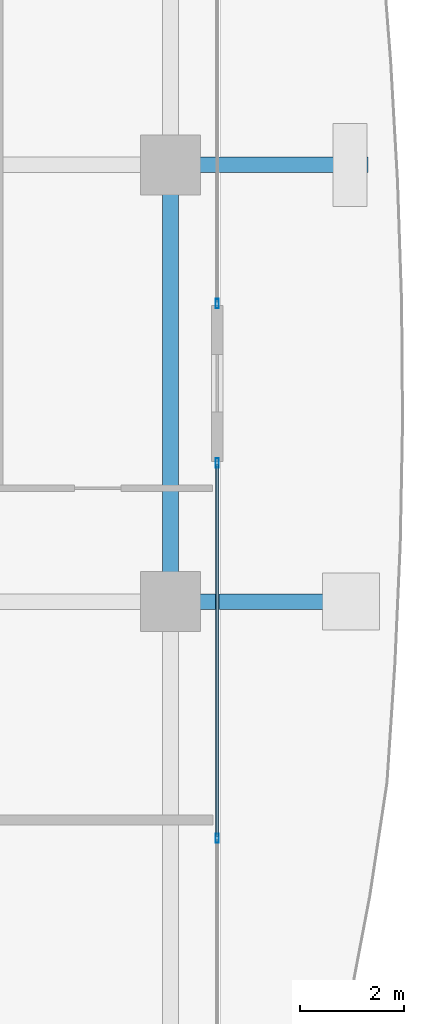
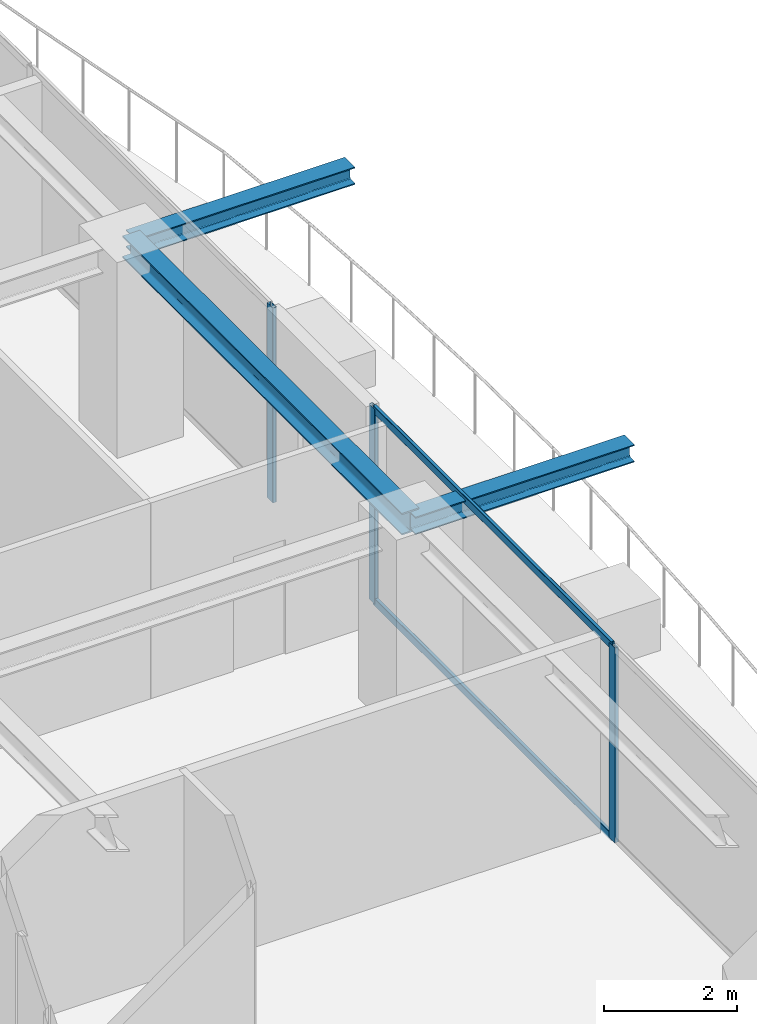
# One storey, part 15 of 37: 5 members, 3 beams, 2 elements without a shape of their own.
"""IFC4 building model written with IfcOpenShell, lengths in metres."""

from ifc_helpers import new_model, si_unit, direction, frame, origin, origin_2d, place, context, subcontext, project, spatial, hollow_rectangle, i_section, extrude, source, transform, mapped, material, layer, layer_set, material_profile, profile_set, type_object, element, aggregate, save


model = new_model("IFC4")

# Units and contexts
model_context = context("Model", 3, precision=1e-05, world=origin(), true_north=direction((0.0, 1.0)))
body_context = subcontext(model_context, "Body", "Model", "MODEL_VIEW")
ifc_project = project(units=[si_unit("LENGTHUNIT", "METRE"), si_unit("AREAUNIT", "SQUARE_METRE"), si_unit("VOLUMEUNIT", "CUBIC_METRE"), si_unit("PLANEANGLEUNIT", "RADIAN"), si_unit("MASSUNIT", "GRAM", prefix="KILO")], contexts=[model_context])

# Site, building, storey
site_placement = place(None, origin())
site = spatial("IfcSite", under=ifc_project, at=site_placement, CompositionType="ELEMENT")
building_placement = place(site_placement, origin())
building = spatial("IfcBuilding", under=site, at=building_placement, Name="Serunith Strait Residences", CompositionType="ELEMENT")
storey_placement = place(building_placement, frame((0.0, 0.0, 275.89990234375)))
storey = spatial("IfcBuildingStorey", under=building, at=storey_placement, Name="L69", CompositionType="ELEMENT", Elevation=275.89990234375)

# Beams
ifc_material_1 = material(Name="Steel S355J2", Category="steel")
ifc_material_profile_1 = material_profile(ifc_material_1, i_section(OverallWidth=0.300048828125, OverallDepth=0.39990234375, WebThickness=0.013427734375, FlangeThickness=0.02392578125, FilletRadius=0.027099609375, at=origin_2d()), Name="HEB 400")
ifc_profile_set_1 = profile_set([ifc_material_profile_1], Name="Steel S355J2")
beam_type_1 = type_object("IfcBeamType", Name="BM-HEB400", PredefinedType="BEAM", material=ifc_profile_set_1)
shared_shape_1 = source(origin(), body_context, "Body", "SweptSolid", [
    extrude(i_section(OverallWidth=0.300048828125, OverallDepth=0.39990234375, WebThickness=0.013427734375, FlangeThickness=0.02392578125, FilletRadius=0.027099609375, at=origin_2d()), origin(), (0.0, 0.0, 1.0), 8.39990234375),
])
beam_placement = place(storey_placement, frame((56.5, 21.0, 3.38720703125), z_axis=(0.0, 1.0, 0.0), x_axis=(-1.0, 0.0, 0.0)))
element("IfcBeam", 1, at=beam_placement, inside=storey, type_object=beam_type_1, Name="L69 Perimeter Ring Beam 06", PredefinedType="BEAM", context=body_context, shape_type="MappedRepresentation", body=[
    mapped(shared_shape_1, transform((0.0, 0.0, 0.0), scale=1.0)),
])
ifc_material_profile_2 = material_profile(ifc_material_1, i_section(OverallWidth=0.300048828125, OverallDepth=0.320068359375, WebThickness=0.011474609375, FlangeThickness=0.0205078125, FilletRadius=0.027099609375, at=origin_2d()), Name="HEB 320")
ifc_profile_set_2 = profile_set([ifc_material_profile_2], Name="Steel S355J2")
beam_type_2 = type_object("IfcBeamType", Name="BM-HEB320", PredefinedType="BEAM", material=ifc_profile_set_2)
shared_shape_2 = source(origin(), body_context, "Body", "SweptSolid", [
    extrude(i_section(OverallWidth=0.300048828125, OverallDepth=0.320068359375, WebThickness=0.011474609375, FlangeThickness=0.0205078125, FilletRadius=0.027099609375, at=origin_2d()), origin(), (0.0, 0.0, 1.0), 3.800048828125),
])
for number, where, z_axis, x_axis, name in (
    (2, (56.5, 21.0, 3.397216796875), (1.0, 0.0, 0.0), (0.0, 1.0, 0.0), "L70 Cantilevered Balcony Rib TC-E2"),
    (3, (56.5, 29.39990234375, 3.397216796875), (1.0, 0.0, 0.0), (0.0, 1.0, 0.0), "L70 Cantilevered Balcony Rib TC-E3"),
):
    element("IfcBeam", number, at=place(storey_placement, frame(where, z_axis=z_axis, x_axis=x_axis)), inside=storey, type_object=beam_type_2, Name=name, PredefinedType="BEAM", context=body_context, shape_type="MappedRepresentation", body=[
        mapped(shared_shape_2, transform((0.0, 0.0, 0.0), scale=1.0)),
    ])

# Curtain wall, members
ifc_material_2 = material(Name="Pale-Champagne Anodised Aluminium", Category="aluminium")
ifc_layer = layer(ifc_material_2, 0.199951171875, Name="Pale-Champagne Anodised Aluminium")
ifc_layer_set = layer_set([ifc_layer], Name="Pale-Champagne Anodised Aluminium")
curtain_wall_type = type_object("IfcCurtainWallType", Name="CW-SYS4", PredefinedType="NOTDEFINED", material=ifc_layer_set)
curtain_wall_1_placement = place(storey_placement, origin())
curtain_wall_1 = element("IfcCurtainWall", 4, at=curtain_wall_1_placement, inside=storey, type_object=curtain_wall_type, Name="L69 E Unitised Fritted Curtain Wall", PredefinedType="NOTDEFINED")
ifc_material_profile_3 = material_profile(ifc_material_2, hollow_rectangle(XDim=0.06005859375, YDim=0.139892578125, WallThickness=0.00341796875, InnerFilletRadius=0.00537109375, OuterFilletRadius=0.0087890625, at=origin_2d()), Name="ALU 140x60x3.5")
ifc_profile_set_3 = profile_set([ifc_material_profile_3], Name="Pale-Champagne Anodised Aluminium")
member_type_1 = type_object("IfcMemberType", Name="CW-SYS4-TRAN", PredefinedType="USERDEFINED", material=ifc_profile_set_3)
shared_shape_3 = source(origin(), body_context, "Body", "SweptSolid", [
    extrude(hollow_rectangle(XDim=0.06005859375, YDim=0.139892578125, WallThickness=0.00341796875, InnerFilletRadius=0.00537109375, OuterFilletRadius=0.0087890625, at=origin_2d()), origin(), (0.0, 0.0, 1.0), 7.152587890625),
])
member_1_placement = place(storey_placement, frame((57.39990234375, 16.482421875, 0.030029296875), z_axis=(0.0, 1.0, 0.0), x_axis=(-1.0, 0.0, 0.0)))
member_1 = element("IfcMember", 5, at=member_1_placement, type_object=member_type_1, Name="CW-4 transom 2.1", ObjectType="TRANSOM", PredefinedType="USERDEFINED", context=body_context, shape_type="MappedRepresentation", body=[
    mapped(shared_shape_3, transform((0.0, 0.0, 0.0), scale=1.0)),
])
member_2_placement = place(storey_placement, frame((57.39990234375, 16.482421875, 3.545166015625), z_axis=(0.0, 1.0, 0.0), x_axis=(-1.0, 0.0, 0.0)))
member_2 = element("IfcMember", 6, at=member_2_placement, type_object=member_type_1, Name="CW-4 transom 2.2", ObjectType="TRANSOM", PredefinedType="USERDEFINED", context=body_context, shape_type="MappedRepresentation", body=[
    mapped(shared_shape_3, transform((0.0, 0.0, 0.0), scale=1.0)),
])
ifc_material_profile_4 = material_profile(ifc_material_2, hollow_rectangle(XDim=0.06494140625, YDim=0.179931640625, WallThickness=0.00341796875, InnerFilletRadius=0.00537109375, OuterFilletRadius=0.0087890625, at=origin_2d()), Name="ALU 180x65x3.5")
ifc_profile_set_4 = profile_set([ifc_material_profile_4], Name="Pale-Champagne Anodised Aluminium")
member_type_2 = type_object("IfcMemberType", Name="CW-SYS4-MULL", PredefinedType="MULLION", material=ifc_profile_set_4)
shared_shape_4 = source(origin(), body_context, "Body", "SweptSolid", [
    extrude(hollow_rectangle(XDim=0.06494140625, YDim=0.179931640625, WallThickness=0.00341796875, InnerFilletRadius=0.00537109375, OuterFilletRadius=0.0087890625, at=origin_2d()), origin(), (0.0, 0.0, 1.0), 3.5751953125),
])
member_3_placement = place(storey_placement, frame((57.39990234375, 16.449951171875, 0.0), z_axis=(0.0, 0.0, 1.0), x_axis=(-1.0, 0.0, 0.0)))
member_3 = element("IfcMember", 7, at=member_3_placement, type_object=member_type_2, Name="CW-4 mullion 2", PredefinedType="MULLION", context=body_context, shape_type="MappedRepresentation", body=[
    mapped(shared_shape_4, transform((0.0, 0.0, 0.0), scale=1.0)),
])
member_4_placement = place(storey_placement, frame((57.39990234375, 23.66748046875, 0.0), z_axis=(0.0, 0.0, 1.0), x_axis=(-1.0, 0.0, 0.0)))
member_4 = element("IfcMember", 8, at=member_4_placement, type_object=member_type_2, Name="CW-4 mullion 3", PredefinedType="MULLION", context=body_context, shape_type="MappedRepresentation", body=[
    mapped(shared_shape_4, transform((0.0, 0.0, 0.0), scale=1.0)),
])
aggregate(curtain_wall_1, [member_3, member_4, member_1, member_2])

# Curtain wall, member
curtain_wall_2_placement = place(storey_placement, origin())
curtain_wall_2 = element("IfcCurtainWall", 9, at=curtain_wall_2_placement, inside=storey, type_object=curtain_wall_type, Name="L69 E Unitised Fritted Curtain Wall", PredefinedType="NOTDEFINED")
member_5_placement = place(storey_placement, frame((57.39990234375, 26.732421875, 0.0), z_axis=(0.0, 0.0, 1.0), x_axis=(-1.0, 0.0, 0.0)))
member_5 = element("IfcMember", 10, at=member_5_placement, type_object=member_type_2, Name="CW-4 mullion 1", PredefinedType="MULLION", context=body_context, shape_type="MappedRepresentation", body=[
    mapped(shared_shape_4, transform((0.0, 0.0, 0.0), scale=1.0)),
])
aggregate(curtain_wall_2, [member_5])

save(model, "model.ifc")
